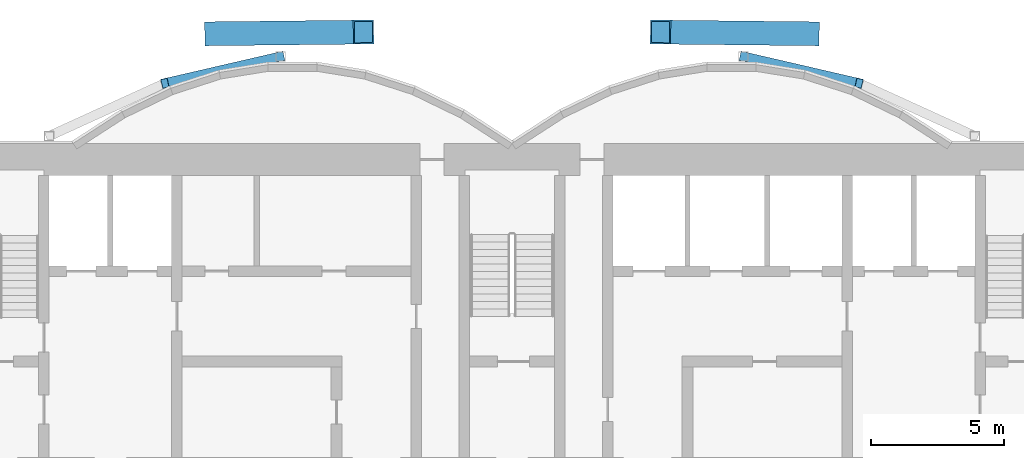
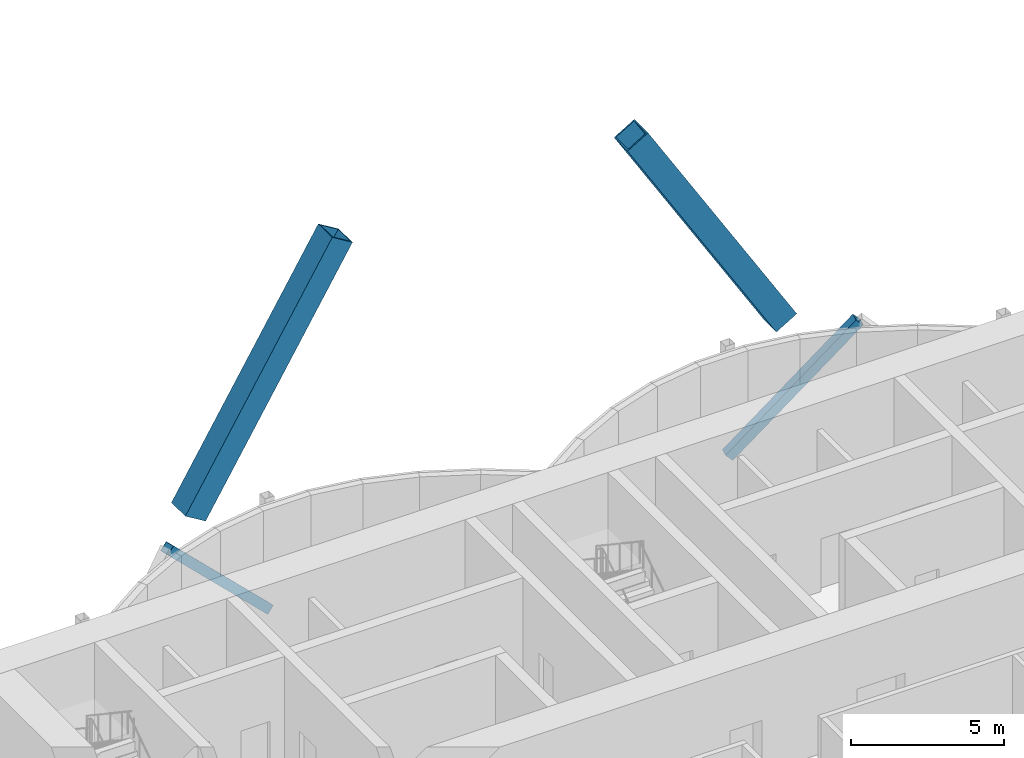
# One storey, part 10 of 19: 4 members.
"""IFC4 building model written with IfcOpenShell, lengths in metres."""

from ifc_helpers import new_model, si_unit, direction, frame, origin, origin_2d, place, context, subcontext, project, spatial, hollow_rectangle, extrude, material, material_profile, profile_set, type_object, element, save


model = new_model("IFC4")

# Units and contexts
model_context = context("Model", 3, precision=1e-05, world=origin(), true_north=direction((0.0, 1.0)))
body_context = subcontext(model_context, "Body", "Model", "MODEL_VIEW")
ifc_project = project(units=[si_unit("LENGTHUNIT", "METRE"), si_unit("AREAUNIT", "SQUARE_METRE"), si_unit("VOLUMEUNIT", "CUBIC_METRE"), si_unit("PLANEANGLEUNIT", "RADIAN"), si_unit("MASSUNIT", "GRAM", prefix="KILO")], contexts=[model_context])

# Site, building, storey
site_placement = place(None, origin())
site = spatial("IfcSite", under=ifc_project, at=site_placement, CompositionType="ELEMENT")
building_placement = place(site_placement, origin())
building = spatial("IfcBuilding", under=site, at=building_placement, Name="Bicima Exchange Tower", CompositionType="ELEMENT")
storey_placement = place(building_placement, frame((0.0, 0.0, 324.5)))
storey = spatial("IfcBuildingStorey", under=building, at=storey_placement, Name="L73", CompositionType="ELEMENT", Elevation=324.5)

# Members
ifc_material = material(Name="Steel ASTM A572 Gr 50", Category="steel")
ifc_material_profile_1 = material_profile(ifc_material, hollow_rectangle(XDim=0.89990234375, YDim=0.89990234375, WallThickness=0.050048828125, at=origin_2d()))
ifc_profile_set_1 = profile_set([ifc_material_profile_1], Name="Steel ASTM A572 Gr 50")
member_type_1 = type_object("IfcMemberType", Name="Exo mega brace BOX 900x900x50", PredefinedType="BRACE", material=ifc_profile_set_1)
for number, where, z_axis, x_axis, name in (
    (1, (-11.166748046875, 4.125, 4.166748046875), (0.521234890023, 0.005743384009, 0.853393931876), (-0.011018133066, 0.99993929853, 0.0), "Exo mega brace rear"),
    (2, (11.166748046875, 4.125, 4.166748046875), (-0.521234890023, 0.005743384009, 0.853393931876), (-0.011018133066, -0.99993929853, 0.0), "Exo mega brace rear"),
):
    element("IfcMember", number, at=place(storey_placement, frame(where, z_axis=z_axis, x_axis=x_axis)), inside=storey, type_object=member_type_1, Name=name, PredefinedType="BRACE", context=body_context, shape_type="SweptSolid", body=[
        extrude(hollow_rectangle(XDim=0.89990234375, YDim=0.89990234375, WallThickness=0.050048828125, at=origin_2d()), origin(), (0.0, 0.0, 1.0), 10.712158203125),
    ])
ifc_material_profile_2 = material_profile(ifc_material, hollow_rectangle(XDim=0.355712890625, YDim=0.355712890625, WallThickness=0.01171875, at=origin_2d()))
ifc_profile_set_2 = profile_set([ifc_material_profile_2], Name="Steel ASTM A572 Gr 50")
member_type_2 = type_object("IfcMemberType", Name="Mega brace HSS14x14x1/2", PredefinedType="BRACE", material=ifc_profile_set_2)
for number, where, z_axis, x_axis, name in (
    (3, (-8.699951171875, 3.26904296875, 0.0), (-0.686212303743, -0.158786245837, 0.709858860848), (0.225438503722, -0.974257399787, 0.0), "Mega brace rexo"),
    (4, (8.699951171875, 3.26904296875, 0.0), (0.686212303743, -0.158786245837, 0.709858860848), (0.225438503722, 0.974257399787, 0.0), "Mega brace rexo"),
):
    element("IfcMember", number, at=place(storey_placement, frame(where, z_axis=z_axis, x_axis=x_axis)), inside=storey, type_object=member_type_2, Name=name, PredefinedType="BRACE", context=body_context, shape_type="SweptSolid", body=[
        extrude(hollow_rectangle(XDim=0.355712890625, YDim=0.355712890625, WallThickness=0.01171875, at=origin_2d()), origin(), (0.0, 0.0, 1.0), 6.33935546875),
    ])

save(model, "model.ifc")
